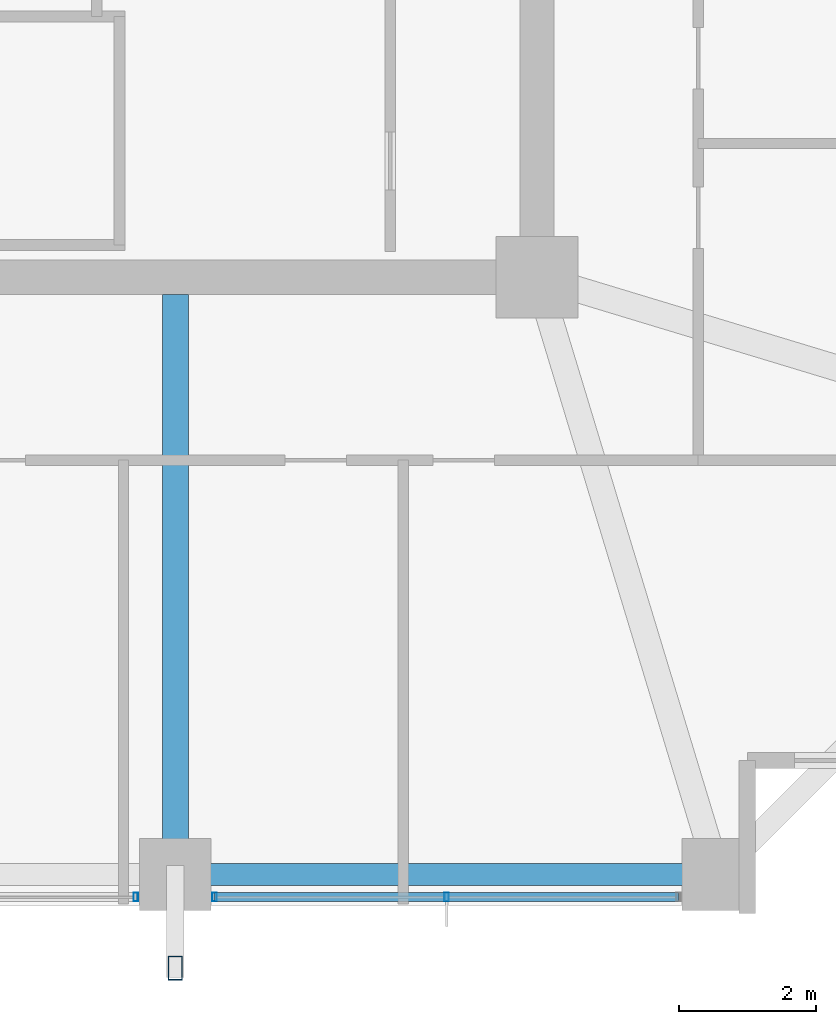
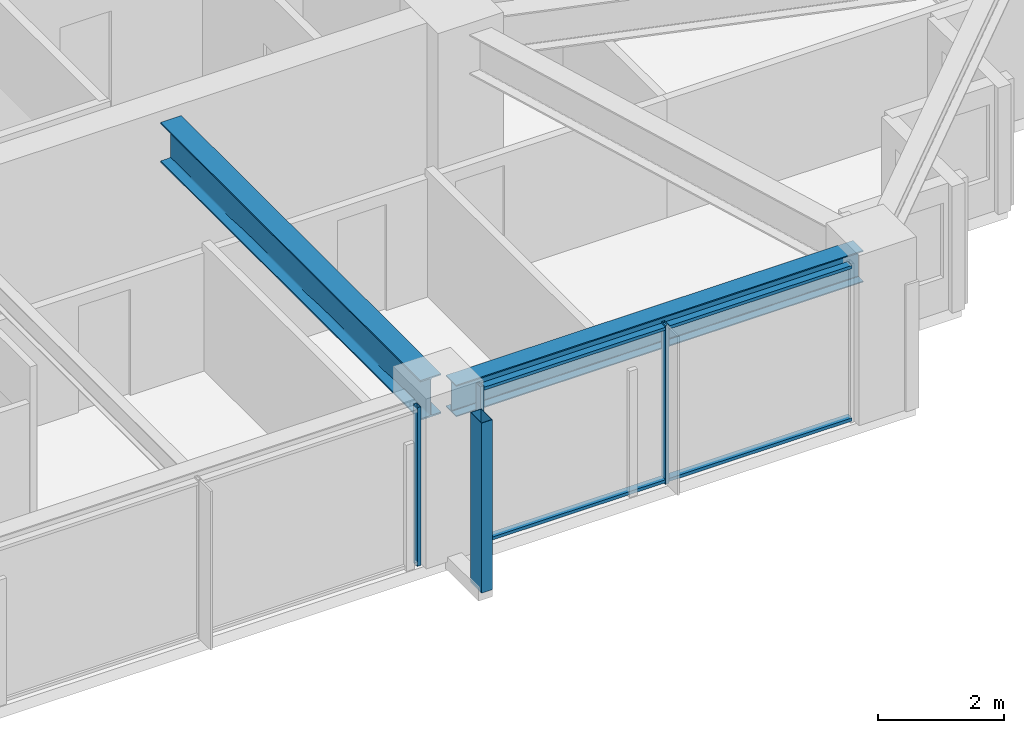
# One storey, part 6 of 35: 6 members, 2 beams, 2 elements without a shape of their own.
"""IFC4 building model written with IfcOpenShell, lengths in metres."""

from ifc_helpers import new_model, si_unit, direction, frame, origin, origin_2d, place, context, subcontext, project, spatial, hollow_rectangle, i_section, extrude, material, material_profile, profile_set, type_object, element, aggregate, save


model = new_model("IFC4")

# Units and contexts
model_context = context("Model", 3, precision=1e-05, world=origin(), true_north=direction((0.0, 1.0)))
body_context = subcontext(model_context, "Body", "Model", "MODEL_VIEW")
ifc_project = project(units=[si_unit("LENGTHUNIT", "METRE"), si_unit("AREAUNIT", "SQUARE_METRE"), si_unit("VOLUMEUNIT", "CUBIC_METRE"), si_unit("PLANEANGLEUNIT", "RADIAN"), si_unit("MASSUNIT", "GRAM", prefix="KILO")], contexts=[model_context])

# Site, building, storey
site_placement = place(None, origin())
site = spatial("IfcSite", under=ifc_project, at=site_placement, CompositionType="ELEMENT")
building_placement = place(site_placement, origin())
building = spatial("IfcBuilding", under=site, at=building_placement, Name="Kolvaren Belvedere", CompositionType="ELEMENT")
storey_placement = place(building_placement, frame((0.0, 0.0, 115.10009765625)))
storey = spatial("IfcBuildingStorey", under=building, at=storey_placement, Name="L33", CompositionType="ELEMENT", Elevation=115.10009765625)

# Beams
ifc_material_1 = material(Name="Structural steel ASTM A992 Grade 50", Category="steel")
ifc_material_profile_1 = material_profile(ifc_material_1, i_section(OverallWidth=0.381103515625, OverallDepth=0.77294921875, WebThickness=0.0166015625, FlangeThickness=0.027099609375, FilletRadius=0.02392578125, at=origin_2d()), Name="W30X173")
ifc_profile_set_1 = profile_set([ifc_material_profile_1], Name="Structural steel ASTM A992 Grade 50")
beam_type_1 = type_object("IfcBeamType", Name="BM-GIRD-W30X173", PredefinedType="BEAM", material=ifc_profile_set_1)
beam_1_placement = place(storey_placement, frame((4.60009765625, -10.14990234375, 2.693359375), z_axis=(0.0, -1.0, 0.0), x_axis=(1.0, 0.0, 0.0)))
element("IfcBeam", 1, at=beam_1_placement, inside=storey, type_object=beam_type_1, Name="L33 South Radial Girder P", PredefinedType="BEAM", context=body_context, shape_type="SweptSolid", body=[
    extrude(i_section(OverallWidth=0.381103515625, OverallDepth=0.77294921875, WebThickness=0.0166015625, FlangeThickness=0.027099609375, FilletRadius=0.02392578125, at=origin_2d()), origin(), (0.0, 0.0, 1.0), 8.263916015625),
])
ifc_material_2 = material(Name="Structural steel ASTM A992 Grade 50", Category="steel")
ifc_material_profile_2 = material_profile(ifc_material_2, i_section(OverallWidth=0.324951171875, OverallDepth=0.615966796875, WebThickness=0.013916015625, FlangeThickness=0.021484375, FilletRadius=0.02001953125, at=origin_2d()), Name="W24X117")
ifc_profile_set_2 = profile_set([ifc_material_profile_2], Name="Structural steel ASTM A992 Grade 50")
beam_type_2 = type_object("IfcBeamType", Name="BM-SPAN-W24X117", PredefinedType="SPANDREL", material=ifc_profile_set_2)
beam_2_placement = place(storey_placement, frame((4.836181640625, -18.64990234375, 2.77197265625), z_axis=(1.0, 0.0, 0.0), x_axis=(0.0, 1.0, 0.0)))
element("IfcBeam", 2, at=beam_2_placement, inside=storey, type_object=beam_type_2, Name="L33 Perimeter Spandrel S3-S4", PredefinedType="SPANDREL", context=body_context, shape_type="SweptSolid", body=[
    extrude(i_section(OverallWidth=0.324951171875, OverallDepth=0.615966796875, WebThickness=0.013916015625, FlangeThickness=0.021484375, FilletRadius=0.02001953125, at=origin_2d()), origin(), (0.0, 0.0, 1.0), 7.4775390625),
])

# Curtain wall, members
ifc_material_3 = material(Name="Anodised pale-metal aluminium AA 6063-T6", Category="aluminium")
curtain_wall_type = type_object("IfcCurtainWallType", Name="CW-Z3-WAIST", PredefinedType="NOTDEFINED", material=ifc_material_3)
curtain_wall_1_placement = place(storey_placement, origin())
curtain_wall_1 = element("IfcCurtainWall", 3, at=curtain_wall_1_placement, inside=storey, type_object=curtain_wall_type, Name="L33 Unitised Curtain Wall FCW-L33-S-B1", PredefinedType="NOTDEFINED")
ifc_material_4 = material(Name="Anodised pale-metal aluminium AA 6063-T6", Category="aluminium")
ifc_material_profile_3 = material_profile(ifc_material_4, hollow_rectangle(XDim=0.06494140625, YDim=0.1298828125, WallThickness=0.00390625, at=origin_2d()), Name="ALU-MUL-130X65")
ifc_profile_set_3 = profile_set([ifc_material_profile_3], Name="Anodised pale-metal aluminium AA 6063-T6")
member_type_1 = type_object("IfcMemberType", Name="CW-MUL-130", PredefinedType="MULLION", material=ifc_profile_set_3)
member_1_placement = place(storey_placement, frame((8.574951171875, -18.97998046875, 0.0), z_axis=(0.0, 0.0, 1.0), x_axis=(1.0, 0.0, 0.0)))
member_1 = element("IfcMember", 4, at=member_1_placement, type_object=member_type_1, Name="FCW-L33-S-B1 Unitised Mullion 2", PredefinedType="MULLION", context=body_context, shape_type="SweptSolid", body=[
    extrude(hollow_rectangle(XDim=0.06494140625, YDim=0.1298828125, WallThickness=0.00390625, at=origin_2d()), origin(), (0.0, 0.0, 1.0), 3.079833984375),
])
member_2_placement = place(storey_placement, frame((5.177490234375, -18.97998046875, 0.0), z_axis=(0.0, 0.0, 1.0), x_axis=(1.0, 0.0, 0.0)))
member_2 = element("IfcMember", 5, at=member_2_placement, type_object=member_type_1, Name="FCW-L33-S-B1 Unitised Mullion 3", PredefinedType="MULLION", context=body_context, shape_type="SweptSolid", body=[
    extrude(hollow_rectangle(XDim=0.06494140625, YDim=0.1298828125, WallThickness=0.00390625, at=origin_2d()), origin(), (0.0, 0.0, 1.0), 3.079833984375),
])

# Curtain wall, member
curtain_wall_2_placement = place(storey_placement, origin())
curtain_wall_2 = element("IfcCurtainWall", 6, at=curtain_wall_2_placement, inside=storey, type_object=curtain_wall_type, Name="L33 Unitised Curtain Wall FCW-L33-S-B2", PredefinedType="NOTDEFINED")
member_3_placement = place(storey_placement, frame((4.0224609375, -18.97998046875, 0.0), z_axis=(0.0, 0.0, 1.0), x_axis=(1.0, 0.0, 0.0)))
member_3 = element("IfcMember", 7, at=member_3_placement, type_object=member_type_1, Name="FCW-L33-S-B2 Unitised Mullion 1", PredefinedType="MULLION", context=body_context, shape_type="SweptSolid", body=[
    extrude(hollow_rectangle(XDim=0.06494140625, YDim=0.1298828125, WallThickness=0.00390625, at=origin_2d()), origin(), (0.0, 0.0, 1.0), 3.079833984375),
])
aggregate(curtain_wall_2, [member_3])

# Member
ifc_material_5 = material(Name="Anodised pale-metal aluminium AA 6063-T6", Category="aluminium")
ifc_material_profile_4 = material_profile(ifc_material_5, hollow_rectangle(XDim=0.06005859375, YDim=0.1298828125, WallThickness=0.00390625, at=origin_2d()), Name="ALU-TRN-130X60")
ifc_profile_set_4 = profile_set([ifc_material_profile_4], Name="Anodised pale-metal aluminium AA 6063-T6")
member_type_2 = type_object("IfcMemberType", Name="CW-TRN-130", PredefinedType="USERDEFINED", material=ifc_profile_set_4)
member_4_placement = place(storey_placement, frame((11.972412109375, -18.97998046875, 0.059814453125), z_axis=(-1.0, 0.0, 0.0), x_axis=(0.0, 0.0, 1.0)))
member_4 = element("IfcMember", 8, at=member_4_placement, type_object=member_type_2, Name="FCW-L33-S-B1 Sill Transom", ObjectType="TRANSOM", PredefinedType="USERDEFINED", context=body_context, shape_type="SweptSolid", body=[
    extrude(hollow_rectangle(XDim=0.06005859375, YDim=0.1298828125, WallThickness=0.00390625, at=origin_2d()), origin(), (0.0, 0.0, 1.0), 6.794921875),
])

member_5_placement = place(storey_placement, frame((11.972412109375, -18.97998046875, 3.02001953125), z_axis=(-1.0, 0.0, 0.0), x_axis=(0.0, 0.0, 1.0)))
member_5 = element("IfcMember", 9, at=member_5_placement, type_object=member_type_2, Name="FCW-L33-S-B1 Head Transom", ObjectType="TRANSOM", PredefinedType="USERDEFINED", context=body_context, shape_type="SweptSolid", body=[
    extrude(hollow_rectangle(XDim=0.06005859375, YDim=0.1298828125, WallThickness=0.00390625, at=origin_2d()), origin(), (0.0, 0.0, 1.0), 6.794921875),
])

aggregate(curtain_wall_1, [member_1, member_2, member_4, member_5])

ifc_material_6 = material(Name="Anodised pale-metal aluminium AA 6063-T6", Category="aluminium")
ifc_material_profile_5 = material_profile(ifc_material_6, hollow_rectangle(XDim=0.199951171875, YDim=0.35009765625, WallThickness=0.007568359375, at=origin_2d()), Name="ALU-PF-350X200")
ifc_profile_set_5 = profile_set([ifc_material_profile_5], Name="Anodised pale-metal aluminium AA 6063-T6")
member_type_3 = type_object("IfcMemberType", Name="PF-FRAME-350", PredefinedType="USERDEFINED", material=ifc_profile_set_5)
member_6_placement = place(storey_placement, frame((4.60009765625, -20.02001953125, 0.0), z_axis=(0.0, 0.0, 1.0), x_axis=(1.0, 0.0, 0.0)))
element("IfcMember", 10, at=member_6_placement, inside=storey, type_object=member_type_3, Name="L33 Outboard Picture-Frame Vertical S1", ObjectType="PICTURE FRAME FIN", PredefinedType="USERDEFINED", context=body_context, shape_type="SweptSolid", body=[
    extrude(hollow_rectangle(XDim=0.199951171875, YDim=0.35009765625, WallThickness=0.007568359375, at=origin_2d()), origin(), (0.0, 0.0, 1.0), 3.2998046875),
])

save(model, "model.ifc")
